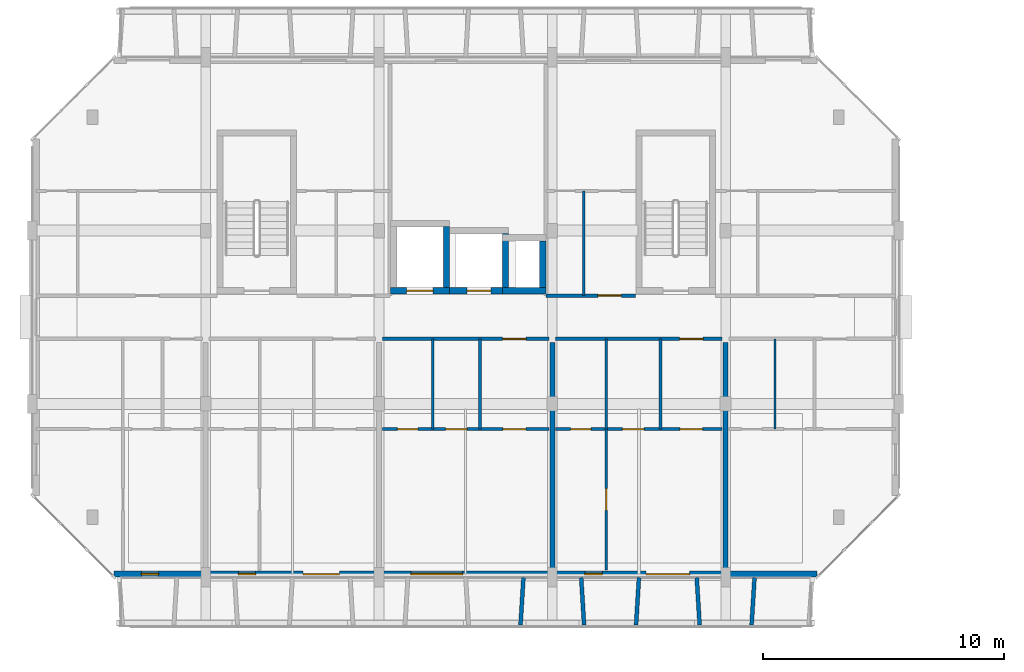
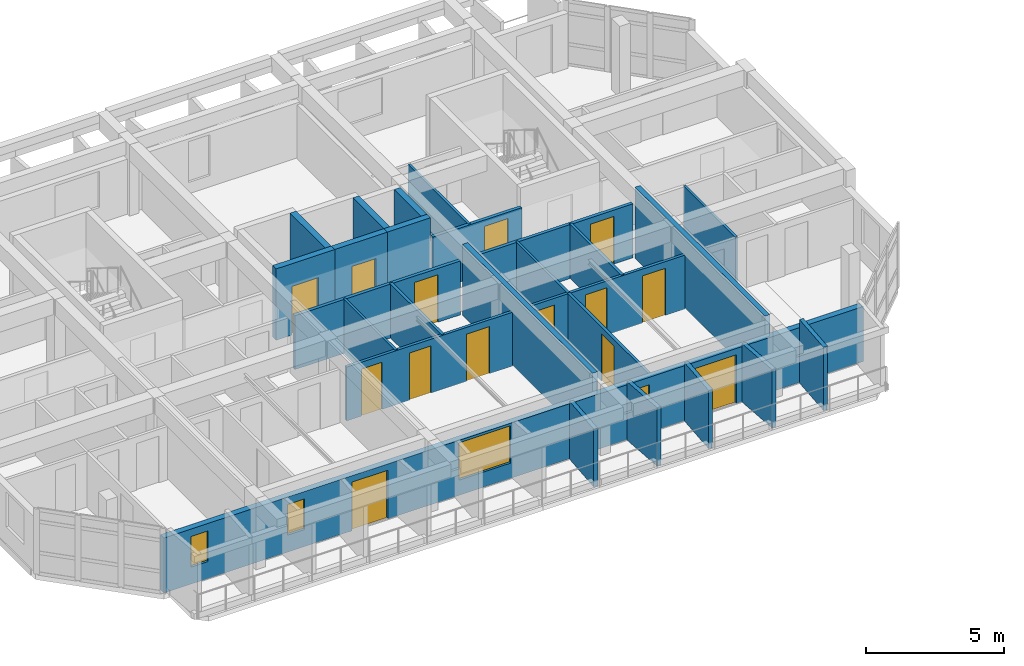
# One storey, part 18 of 46: 26 walls, 14 doors, 4 windows, 18 openings.
"""IFC4 building model written with IfcOpenShell, lengths in metres."""

from ifc_helpers import new_model, si_unit, direction, frame, frame_2d, origin, place, context, subcontext, project, spatial, rectangle, extrude, material, layer, layer_set, type_object, element, fill, save


model = new_model("IFC4")

# Units and contexts
model_context = context("Model", 3, precision=1e-05, world=origin(), true_north=direction((0.0, 1.0)))
body_context = subcontext(model_context, "Body", "Model", "MODEL_VIEW")
ifc_project = project(units=[si_unit("LENGTHUNIT", "METRE"), si_unit("AREAUNIT", "SQUARE_METRE"), si_unit("VOLUMEUNIT", "CUBIC_METRE"), si_unit("PLANEANGLEUNIT", "RADIAN"), si_unit("MASSUNIT", "GRAM", prefix="KILO")], contexts=[model_context])

# Site, building, storey
site_placement = place(None, origin())
site = spatial("IfcSite", under=ifc_project, at=site_placement, CompositionType="ELEMENT")
building_placement = place(site_placement, origin())
building = spatial("IfcBuilding", under=site, at=building_placement, Name="Ochrevale Crest", CompositionType="ELEMENT")
storey_placement = place(building_placement, frame((0.0, 0.0, 24.449951171875)))
storey = spatial("IfcBuildingStorey", under=building, at=storey_placement, Name="L07", CompositionType="ELEMENT", Elevation=24.449951171875)

# Wall, opening, door
ifc_material_1 = material(Name="Gypsum plasterboard", Category="gypsum")
ifc_layer_1 = layer(ifc_material_1, 0.139892578125)
ifc_layer_set_1 = layer_set([ifc_layer_1], Name="Gypsum plasterboard")
wall_type_1 = type_object("IfcWallType", Name="WL-COR-140", PredefinedType="PARTITIONING", material=ifc_layer_set_1)
wall_1_placement = place(storey_placement, frame((14.5400390625, 24.300048828125, 0.0), z_axis=(0.0, 0.0, 1.0), x_axis=(1.0, 0.0, 0.0)))
wall_1 = element("IfcWall", 1, at=wall_1_placement, inside=storey, type_object=wall_type_1, Name="Apartment A-L07-U3 corridor wall", PredefinedType="PARTITIONING", context=body_context, shape_type="SweptSolid", body=[
    extrude(rectangle(XDim=6.919921875, YDim=0.139892578125, at=frame_2d((3.4599609375, 0.0))), origin(), (0.0, 0.0, 1.0), 2.380126953125),
])
opening_1_placement = place(wall_1_placement, frame((4.9951171875, 0.0, 0.0)))
opening_1 = element("IfcOpeningElement", 2, at=opening_1_placement, cuts=wall_1, Name="Opening FD01", PredefinedType="OPENING", context=body_context, shape_type="SweptSolid", body=[
    extrude(rectangle(XDim=0.97998046875, YDim=2.10009765625, at=frame_2d((0.489990234375, 1.050048828125))), frame((0.0, 0.080078125, 0.0), z_axis=(0.0, -1.0, 0.0), x_axis=(1.0, 0.0, 0.0)), (0.0, 0.0, 1.0), 0.159912109375),
])
ifc_material_2 = material(Name="Solid-core FSC hardwood", Category="wood")
door_type_1 = type_object("IfcDoorType", Name="DR-APT-950", OperationType="NOTDEFINED", PredefinedType="DOOR", material=ifc_material_2)
door_1_placement = place(opening_1_placement, origin())
door_1 = element("IfcDoor", 3, at=door_1_placement, inside=storey, type_object=door_type_1, Name="Apartment A-L07-U3 entrance door", OperationType="SINGLE_SWING_LEFT", OverallHeight=2.10009765625, OverallWidth=0.97998046875, PredefinedType="DOOR", context=body_context, shape_type="SweptSolid", body=[
    extrude(rectangle(XDim=0.97998046875, YDim=2.10009765625, at=frame_2d((0.489990234375, 1.050048828125))), frame((0.0, 0.02490234375, 0.0), z_axis=(0.0, -1.0, 0.0), x_axis=(1.0, 0.0, 0.0)), (0.0, 0.0, 1.0), 0.050048828125),
])
fill(opening_1, door_1)

wall_2_placement = place(storey_placement, frame((21.739990234375, 24.300048828125, 0.0), z_axis=(0.0, 0.0, 1.0), x_axis=(1.0, 0.0, 0.0)))
wall_2 = element("IfcWall", 4, at=wall_2_placement, inside=storey, type_object=wall_type_1, Name="Apartment A-L07-U4 corridor wall", PredefinedType="PARTITIONING", context=body_context, shape_type="SweptSolid", body=[
    extrude(rectangle(XDim=6.919921875, YDim=0.139892578125, at=frame_2d((3.4599609375, 0.0))), origin(), (0.0, 0.0, 1.0), 2.380126953125),
])
opening_2_placement = place(wall_2_placement, frame((5.14501953125, 0.0, 0.0)))
opening_2 = element("IfcOpeningElement", 5, at=opening_2_placement, cuts=wall_2, Name="Opening FD01", PredefinedType="OPENING", context=body_context, shape_type="SweptSolid", body=[
    extrude(rectangle(XDim=0.97998046875, YDim=2.10009765625, at=frame_2d((0.489990234375, 1.050048828125))), frame((0.0, 0.080078125, 0.0), z_axis=(0.0, -1.0, 0.0), x_axis=(1.0, 0.0, 0.0)), (0.0, 0.0, 1.0), 0.159912109375),
])
door_2_placement = place(opening_2_placement, origin())
door_2 = element("IfcDoor", 6, at=door_2_placement, inside=storey, type_object=door_type_1, Name="Apartment A-L07-U4 entrance door", OperationType="SINGLE_SWING_LEFT", OverallHeight=2.10009765625, OverallWidth=0.97998046875, PredefinedType="DOOR", context=body_context, shape_type="SweptSolid", body=[
    extrude(rectangle(XDim=0.97998046875, YDim=2.10009765625, at=frame_2d((0.489990234375, 1.050048828125))), frame((0.0, 0.02490234375, 0.0), z_axis=(0.0, -1.0, 0.0), x_axis=(1.0, 0.0, 0.0)), (0.0, 0.0, 1.0), 0.050048828125),
])
fill(opening_2, door_2)

wall_3_placement = place(storey_placement, frame((21.340087890625, 26.10009765625, 0.0), z_axis=(0.0, 0.0, 1.0), x_axis=(1.0, 0.0, 0.0)))
wall_3 = element("IfcWall", 7, at=wall_3_placement, inside=storey, type_object=wall_type_1, Name="Suite A-L07-ME corridor wall", PredefinedType="PARTITIONING", context=body_context, shape_type="SweptSolid", body=[
    extrude(rectangle(XDim=3.719970703125, YDim=0.139892578125, at=frame_2d((1.85986328125, 0.0))), origin(), (0.0, 0.0, 1.0), 2.380126953125),
])
opening_3_placement = place(wall_3_placement, frame((3.131103515625, 0.0, 0.0), z_axis=(0.0, 0.0, 1.0), x_axis=(-1.0, 0.0, 0.0)))
opening_3 = element("IfcOpeningElement", 8, at=opening_3_placement, cuts=wall_3, Name="Opening FD01", PredefinedType="OPENING", context=body_context, shape_type="SweptSolid", body=[
    extrude(rectangle(XDim=0.97998046875, YDim=2.10009765625, at=frame_2d((0.489990234375, 1.050048828125))), frame((0.0, 0.080078125, 0.0), z_axis=(0.0, -1.0, 0.0), x_axis=(1.0, 0.0, 0.0)), (0.0, 0.0, 1.0), 0.159912109375),
])
door_3_placement = place(opening_3_placement, origin())
door_3 = element("IfcDoor", 9, at=door_3_placement, inside=storey, type_object=door_type_1, Name="Suite A-L07-ME entrance door", OperationType="SINGLE_SWING_RIGHT", OverallHeight=2.10009765625, OverallWidth=0.97998046875, PredefinedType="DOOR", context=body_context, shape_type="SweptSolid", body=[
    extrude(rectangle(XDim=0.97998046875, YDim=2.10009765625, at=frame_2d((0.489990234375, 1.050048828125))), frame((0.0, 0.02490234375, 0.0), z_axis=(0.0, -1.0, 0.0), x_axis=(1.0, 0.0, 0.0)), (0.0, 0.0, 1.0), 0.050048828125),
])
fill(opening_3, door_3)

ifc_material_3 = material(Name="Precast concrete C50/60", Category="concrete")
ifc_layer_2 = layer(ifc_material_3, 0.2548828125)
ifc_layer_set_2 = layer_set([ifc_layer_2], Name="Precast concrete C50/60")
wall_type_2 = type_object("IfcWallType", Name="WL-CORE-255", PredefinedType="SHEAR", material=ifc_layer_set_2)
wall_4_placement = place(storey_placement, frame((14.87255859375, 26.300048828125, 0.0), z_axis=(0.0, 0.0, 1.0), x_axis=(1.0, 0.0, 0.0)))
wall_4 = element("IfcWall", 10, at=wall_4_placement, inside=storey, type_object=wall_type_2, Name="Block A L07 Lift 1 precast shaft shear wall S", PredefinedType="SHEAR", context=body_context, shape_type="SweptSolid", body=[
    extrude(rectangle(XDim=2.454833984375, YDim=0.2548828125, at=frame_2d((1.2275390625, 0.0))), origin(), (0.0, 0.0, 1.0), 3.150146484375),
])
opening_4_placement = place(wall_4_placement, frame((0.677490234375, 0.0, 0.0)))
opening_4 = element("IfcOpeningElement", 11, at=opening_4_placement, cuts=wall_4, Name="Opening LD01", PredefinedType="OPENING", context=body_context, shape_type="SweptSolid", body=[
    extrude(rectangle(XDim=1.10009765625, YDim=2.14990234375, at=frame_2d((0.550048828125, 1.074951171875))), frame((0.0, 0.137451171875, 0.0), z_axis=(0.0, -1.0, 0.0), x_axis=(1.0, 0.0, 0.0)), (0.0, 0.0, 1.0), 0.27490234375),
])
door_type_2 = type_object("IfcDoorType", Name="DR-LIFT-1100", OperationType="NOTDEFINED", PredefinedType="DOOR", material=ifc_material_2)
door_4_placement = place(opening_4_placement, origin())
door_4 = element("IfcDoor", 12, at=door_4_placement, inside=storey, type_object=door_type_2, Name="Lift LF-A1 L07 sliding landing door", OperationType="SLIDING_TO_LEFT", OverallHeight=2.14990234375, OverallWidth=1.10009765625, PredefinedType="DOOR", context=body_context, shape_type="SweptSolid", body=[
    extrude(rectangle(XDim=1.10009765625, YDim=2.14990234375, at=frame_2d((0.550048828125, 1.074951171875))), frame((0.0, 0.02490234375, 0.0), z_axis=(0.0, -1.0, 0.0), x_axis=(1.0, 0.0, 0.0)), (0.0, 0.0, 1.0), 0.050048828125),
])
fill(opening_4, door_4)

# Wall
wall_5_placement = place(storey_placement, frame((17.199951171875, 26.427490234375, 0.0), z_axis=(0.0, 0.0, 1.0), x_axis=(0.0, 1.0, 0.0)))
element("IfcWall", 13, at=wall_5_placement, inside=storey, type_object=wall_type_2, Name="Block A L07 Lift 1 precast shaft shear wall E", PredefinedType="SHEAR", context=body_context, shape_type="SweptSolid", body=[
    extrude(rectangle(XDim=2.544921875, YDim=0.2548828125, at=frame_2d((1.2724609375, 0.0))), origin(), (0.0, 0.0, 1.0), 3.150146484375),
])

# Wall, opening, door
wall_6_placement = place(storey_placement, frame((17.322509765625, 26.300048828125, 0.0), z_axis=(0.0, 0.0, 1.0), x_axis=(1.0, 0.0, 0.0)))
wall_6 = element("IfcWall", 14, at=wall_6_placement, inside=storey, type_object=wall_type_2, Name="Block A L07 Lift 2 precast shaft shear wall S", PredefinedType="SHEAR", context=body_context, shape_type="SweptSolid", body=[
    extrude(rectangle(XDim=2.455078125, YDim=0.2548828125, at=frame_2d((1.2275390625, 0.0))), origin(), (0.0, 0.0, 1.0), 3.150146484375),
])
opening_5_placement = place(wall_6_placement, frame((0.7275390625, 0.0, 0.0)))
opening_5 = element("IfcOpeningElement", 15, at=opening_5_placement, cuts=wall_6, Name="Opening LD02", PredefinedType="OPENING", context=body_context, shape_type="SweptSolid", body=[
    extrude(rectangle(XDim=1.0, YDim=2.14990234375, at=frame_2d((0.5, 1.074951171875))), frame((0.0, 0.137451171875, 0.0), z_axis=(0.0, -1.0, 0.0), x_axis=(1.0, 0.0, 0.0)), (0.0, 0.0, 1.0), 0.27490234375),
])
door_type_3 = type_object("IfcDoorType", Name="DR-LIFT-1000", OperationType="NOTDEFINED", PredefinedType="DOOR", material=ifc_material_2)
door_5_placement = place(opening_5_placement, origin())
door_5 = element("IfcDoor", 16, at=door_5_placement, inside=storey, type_object=door_type_3, Name="Lift LP-A2 L07 sliding landing door", OperationType="SLIDING_TO_RIGHT", OverallHeight=2.14990234375, OverallWidth=1.0, PredefinedType="DOOR", context=body_context, shape_type="SweptSolid", body=[
    extrude(rectangle(XDim=1.0, YDim=2.14990234375, at=frame_2d((0.5, 1.074951171875))), frame((0.0, 0.02490234375, 0.0), z_axis=(0.0, -1.0, 0.0), x_axis=(1.0, 0.0, 0.0)), (0.0, 0.0, 1.0), 0.050048828125),
])
fill(opening_5, door_5)

# Walls
wall_7_placement = place(storey_placement, frame((19.64990234375, 26.427490234375, 0.0), z_axis=(0.0, 0.0, 1.0), x_axis=(0.0, 1.0, 0.0)))
element("IfcWall", 17, at=wall_7_placement, inside=storey, type_object=wall_type_2, Name="Block A L07 Lift 2 precast shaft shear wall E", PredefinedType="SHEAR", context=body_context, shape_type="SweptSolid", body=[
    extrude(rectangle(XDim=2.2451171875, YDim=0.2548828125, at=frame_2d((1.12255859375, 0.0))), origin(), (0.0, 0.0, 1.0), 3.150146484375),
])
wall_8_placement = place(storey_placement, frame((19.5224609375, 26.300048828125, 0.0), z_axis=(0.0, 0.0, 1.0), x_axis=(1.0, 0.0, 0.0)))
element("IfcWall", 18, at=wall_8_placement, inside=storey, type_object=wall_type_2, Name="Block A L07 services riser shaft core wall S", PredefinedType="SHEAR", context=body_context, shape_type="SweptSolid", body=[
    extrude(rectangle(XDim=1.804931640625, YDim=0.2548828125, at=frame_2d((0.90234375, 0.0))), origin(), (0.0, 0.0, 1.0), 3.150146484375),
])
wall_9_placement = place(storey_placement, frame((21.199951171875, 26.427490234375, 0.0), z_axis=(0.0, 0.0, 1.0), x_axis=(0.0, 1.0, 0.0)))
element("IfcWall", 19, at=wall_9_placement, inside=storey, type_object=wall_type_2, Name="Block A L07 services riser shaft core wall E", PredefinedType="SHEAR", context=body_context, shape_type="SweptSolid", body=[
    extrude(rectangle(XDim=1.945068359375, YDim=0.2548828125, at=frame_2d((0.97265625, 0.0))), origin(), (0.0, 0.0, 1.0), 3.150146484375),
])

# Wall, openings, doors, windows
ifc_material_4 = material(Name="Precast concrete C40/50", Category="concrete")
ifc_layer_3 = layer(ifc_material_4, 0.25)
ifc_layer_set_3 = layer_set([ifc_layer_3], Name="Precast concrete C40/50")
wall_type_3 = type_object("IfcWallType", Name="WL-EXT-GOLD-250", PredefinedType="SOLIDWALL", material=ifc_layer_set_3)
wall_10_placement = place(storey_placement, frame((3.39990234375, 14.52490234375, 0.0), z_axis=(0.0, 0.0, 1.0), x_axis=(1.0, 0.0, 0.0)))
wall_10 = element("IfcWall", 20, at=wall_10_placement, inside=storey, type_object=wall_type_3, Name="Block A L07 external facade wall E1", PredefinedType="SOLIDWALL", context=body_context, shape_type="SweptSolid", body=[
    extrude(rectangle(XDim=29.2001953125, YDim=0.25, at=frame_2d((14.60009765625, 0.0))), origin(), (0.0, 0.0, 1.0), 2.429931640625),
])
opening_6_placement = place(wall_10_placement, frame((9.35009765625, 0.0, 0.0), z_axis=(0.0, 0.0, 1.0), x_axis=(-1.0, 0.0, 0.0)))
opening_6 = element("IfcOpeningElement", 21, at=opening_6_placement, cuts=wall_10, Name="Opening BD01", PredefinedType="OPENING", context=body_context, shape_type="SweptSolid", body=[
    extrude(rectangle(XDim=1.5, YDim=2.14990234375, at=frame_2d((0.75, 1.074951171875))), frame((0.0, 0.135009765625, 0.0), z_axis=(0.0, -1.0, 0.0), x_axis=(1.0, 0.0, 0.0)), (0.0, 0.0, 1.0), 0.27001953125),
])
opening_7_placement = place(wall_10_placement, frame((23.900146484375, 0.0, 0.0), z_axis=(0.0, 0.0, 1.0), x_axis=(-1.0, 0.0, 0.0)))
opening_7 = element("IfcOpeningElement", 22, at=opening_7_placement, cuts=wall_10, Name="Opening BD03", PredefinedType="OPENING", context=body_context, shape_type="SweptSolid", body=[
    extrude(rectangle(XDim=1.800048828125, YDim=2.14990234375, at=frame_2d((0.89990234375, 1.074951171875))), frame((0.0, 0.135009765625, 0.0), z_axis=(0.0, -1.0, 0.0), x_axis=(1.0, 0.0, 0.0)), (0.0, 0.0, 1.0), 0.27001953125),
])
opening_8_placement = place(wall_10_placement, frame((1.125, 0.0, 0.75)))
opening_8 = element("IfcOpeningElement", 23, at=opening_8_placement, cuts=wall_10, Name="Opening W02", PredefinedType="OPENING", context=body_context, shape_type="SweptSolid", body=[
    extrude(rectangle(XDim=0.719970703125, YDim=1.35009765625, at=frame_2d((0.35986328125, 0.675048828125))), frame((0.0, 0.135009765625, 0.0), z_axis=(0.0, -1.0, 0.0), x_axis=(1.0, 0.0, 0.0)), (0.0, 0.0, 1.0), 0.27001953125),
])
opening_9_placement = place(wall_10_placement, frame((5.155029296875, 0.0, 0.75)))
opening_9 = element("IfcOpeningElement", 24, at=opening_9_placement, cuts=wall_10, Name="Opening W02", PredefinedType="OPENING", context=body_context, shape_type="SweptSolid", body=[
    extrude(rectangle(XDim=0.719970703125, YDim=1.35009765625, at=frame_2d((0.35986328125, 0.675048828125))), frame((0.0, 0.135009765625, 0.0), z_axis=(0.0, -1.0, 0.0), x_axis=(1.0, 0.0, 0.0)), (0.0, 0.0, 1.0), 0.27001953125),
])
opening_10_placement = place(wall_10_placement, frame((12.324951171875, 0.0, 0.669921875)))
opening_10 = element("IfcOpeningElement", 25, at=opening_10_placement, cuts=wall_10, Name="Opening W13", PredefinedType="OPENING", context=body_context, shape_type="SweptSolid", body=[
    extrude(rectangle(XDim=2.14990234375, YDim=1.64990234375, at=frame_2d((1.074951171875, 0.824951171875))), frame((0.0, 0.135009765625, 0.0), z_axis=(0.0, -1.0, 0.0), x_axis=(1.0, 0.0, 0.0)), (0.0, 0.0, 1.0), 0.27001953125),
])
opening_11_placement = place(wall_10_placement, frame((19.554931640625, 0.0, 0.75)))
opening_11 = element("IfcOpeningElement", 26, at=opening_11_placement, cuts=wall_10, Name="Opening W02", PredefinedType="OPENING", context=body_context, shape_type="SweptSolid", body=[
    extrude(rectangle(XDim=0.719970703125, YDim=1.35009765625, at=frame_2d((0.35986328125, 0.675048828125))), frame((0.0, 0.135009765625, 0.0), z_axis=(0.0, -1.0, 0.0), x_axis=(1.0, 0.0, 0.0)), (0.0, 0.0, 1.0), 0.27001953125),
])
ifc_material_5 = material(Name="Anodised aluminium 6063-T5 and toughened glass", Category="aluminium")
door_type_4 = type_object("IfcDoorType", Name="DR-BAL-1500", OperationType="NOTDEFINED", PredefinedType="DOOR", material=ifc_material_5)
door_6_placement = place(opening_6_placement, origin())
door_6 = element("IfcDoor", 27, at=door_6_placement, inside=storey, type_object=door_type_4, Name="Block A L07 balcony door S2", OperationType="SINGLE_SWING_LEFT", OverallHeight=2.14990234375, OverallWidth=1.5, PredefinedType="DOOR", context=body_context, shape_type="SweptSolid", body=[
    extrude(rectangle(XDim=1.5, YDim=2.14990234375, at=frame_2d((0.75, 1.074951171875))), frame((0.0, 0.02490234375, 0.0), z_axis=(0.0, -1.0, 0.0), x_axis=(1.0, 0.0, 0.0)), (0.0, 0.0, 1.0), 0.050048828125),
])
fill(opening_6, door_6)
door_type_5 = type_object("IfcDoorType", Name="DR-BAL-1800", OperationType="NOTDEFINED", PredefinedType="DOOR", material=ifc_material_5)
door_7_placement = place(opening_7_placement, origin())
door_7 = element("IfcDoor", 28, at=door_7_placement, inside=storey, type_object=door_type_5, Name="Block A L07 balcony door S4", OperationType="SINGLE_SWING_RIGHT", OverallHeight=2.14990234375, OverallWidth=1.800048828125, PredefinedType="DOOR", context=body_context, shape_type="SweptSolid", body=[
    extrude(rectangle(XDim=1.800048828125, YDim=2.14990234375, at=frame_2d((0.89990234375, 1.074951171875))), frame((0.0, 0.02490234375, 0.0), z_axis=(0.0, -1.0, 0.0), x_axis=(1.0, 0.0, 0.0)), (0.0, 0.0, 1.0), 0.050048828125),
])
fill(opening_7, door_7)
ifc_material_6 = material(Name="Anodised aluminium 6063-T5 and low-E double glazing", Category="aluminium")
window_type_1 = type_object("IfcWindowType", Name="WIN-W02", PartitioningType="SINGLE_PANEL", PredefinedType="WINDOW", material=ifc_material_6)
window_1_placement = place(opening_8_placement, origin())
window_1 = element("IfcWindow", 29, at=window_1_placement, inside=storey, type_object=window_type_1, Name="Block A L07 Apartment A-L07-U1 One Bedroom Living Room window", OverallHeight=1.35009765625, OverallWidth=0.719970703125, PartitioningType="SINGLE_PANEL", PredefinedType="WINDOW", context=body_context, shape_type="SweptSolid", body=[
    extrude(rectangle(XDim=0.719970703125, YDim=1.35009765625, at=frame_2d((0.35986328125, 0.675048828125))), frame((0.0, 0.030029296875, 0.0), z_axis=(0.0, -1.0, 0.0), x_axis=(1.0, 0.0, 0.0)), (0.0, 0.0, 1.0), 0.06005859375),
])
fill(opening_8, window_1)
window_2_placement = place(opening_9_placement, origin())
window_2 = element("IfcWindow", 30, at=window_2_placement, inside=storey, type_object=window_type_1, Name="Block A L07 Apartment A-L07-U2 Twin Bedroom window", OverallHeight=1.35009765625, OverallWidth=0.719970703125, PartitioningType="SINGLE_PANEL", PredefinedType="WINDOW", context=body_context, shape_type="SweptSolid", body=[
    extrude(rectangle(XDim=0.719970703125, YDim=1.35009765625, at=frame_2d((0.35986328125, 0.675048828125))), frame((0.0, 0.030029296875, 0.0), z_axis=(0.0, -1.0, 0.0), x_axis=(1.0, 0.0, 0.0)), (0.0, 0.0, 1.0), 0.06005859375),
])
fill(opening_9, window_2)
window_3_placement = place(opening_11_placement, origin())
window_3 = element("IfcWindow", 31, at=window_3_placement, inside=storey, type_object=window_type_1, Name="Block A L07 Apartment A-L07-U4 Master Bedroom window", OverallHeight=1.35009765625, OverallWidth=0.719970703125, PartitioningType="SINGLE_PANEL", PredefinedType="WINDOW", context=body_context, shape_type="SweptSolid", body=[
    extrude(rectangle(XDim=0.719970703125, YDim=1.35009765625, at=frame_2d((0.35986328125, 0.675048828125))), frame((0.0, 0.030029296875, 0.0), z_axis=(0.0, -1.0, 0.0), x_axis=(1.0, 0.0, 0.0)), (0.0, 0.0, 1.0), 0.06005859375),
])
fill(opening_11, window_3)
window_type_2 = type_object("IfcWindowType", Name="WIN-W13", PartitioningType="SINGLE_PANEL", PredefinedType="WINDOW", material=ifc_material_6)
window_4_placement = place(opening_10_placement, origin())
window_4 = element("IfcWindow", 32, at=window_4_placement, inside=storey, type_object=window_type_2, Name="Block A L07 Studio A-L07-U3 Living Room window", OverallHeight=1.64990234375, OverallWidth=2.14990234375, PartitioningType="SINGLE_PANEL", PredefinedType="WINDOW", context=body_context, shape_type="SweptSolid", body=[
    extrude(rectangle(XDim=2.14990234375, YDim=1.64990234375, at=frame_2d((1.074951171875, 0.824951171875))), frame((0.0, 0.030029296875, 0.0), z_axis=(0.0, -1.0, 0.0), x_axis=(1.0, 0.0, 0.0)), (0.0, 0.0, 1.0), 0.06005859375),
])
fill(opening_10, window_4)

# Walls
ifc_layer_4 = layer(ifc_material_4, 0.1650390625)
ifc_layer_set_4 = layer_set([ifc_layer_4], Name="Precast concrete C40/50")
wall_type_4 = type_object("IfcWallType", Name="WL-HC-CHEEK-165", PredefinedType="ELEMENTEDWALL", material=ifc_layer_set_4)
wall_11_placement = place(storey_placement, frame((20.39990234375, 14.3798828125, 0.0), z_axis=(0.0, 0.0, 1.0), x_axis=(-0.061046865508, -0.998134900808, 0.0)))
element("IfcWall", 33, at=wall_11_placement, inside=storey, type_object=wall_type_4, Name="Block A L07 S precast honeycomb cheek 8", PredefinedType="ELEMENTEDWALL", context=body_context, shape_type="SweptSolid", body=[
    extrude(rectangle(XDim=1.963623046875, YDim=0.1650390625, at=frame_2d((0.98193359375, 0.0))), origin(), (0.0, 0.0, 1.0), 2.550048828125),
])
for number, where, z_axis, x_axis, name in (
    (34, (22.800048828125, 14.3798828125, 0.0), (0.0, 0.0, 1.0), (0.061046865508, -0.998134900808, 0.0), "Block A L07 S precast honeycomb cheek 9"),
    (35, (25.199951171875, 14.3798828125, 0.0), (0.0, 0.0, 1.0), (-0.061046865508, -0.998134900808, 0.0), "Block A L07 S precast honeycomb cheek 10"),
    (36, (27.60009765625, 14.3798828125, 0.0), (0.0, 0.0, 1.0), (0.061046865508, -0.998134900808, 0.0), "Block A L07 S precast honeycomb cheek 11"),
):
    element("IfcWall", number, at=place(storey_placement, frame(where, z_axis=z_axis, x_axis=x_axis)), inside=storey, type_object=wall_type_4, Name=name, PredefinedType="ELEMENTEDWALL", context=body_context, shape_type="SweptSolid", body=[
        extrude(rectangle(XDim=1.963623046875, YDim=0.1650390625, at=frame_2d((0.98193359375, 0.0))), origin(), (0.0, 0.0, 1.0), 2.580078125),
    ])
wall_12_placement = place(storey_placement, frame((30.0, 14.3798828125, 0.0), z_axis=(0.0, 0.0, 1.0), x_axis=(-0.061170732449, -0.998127317276, 0.0)))
element("IfcWall", 37, at=wall_12_placement, inside=storey, type_object=wall_type_4, Name="Block A L07 S precast honeycomb cheek 12", PredefinedType="ELEMENTEDWALL", context=body_context, shape_type="SweptSolid", body=[
    extrude(rectangle(XDim=1.963623046875, YDim=0.1650390625, at=frame_2d((0.98193359375, 0.0))), origin(), (0.0, 0.0, 1.0), 2.800048828125),
])
ifc_layer_5 = layer(ifc_material_1, 0.1201171875)
ifc_layer_set_5 = layer_set([ifc_layer_5], Name="Gypsum plasterboard")
wall_type_5 = type_object("IfcWallType", Name="WL-PART-120", PredefinedType="PARTITIONING", material=ifc_layer_set_5)
wall_13_placement = place(storey_placement, frame((18.590087890625, 20.550048828125, 0.0), z_axis=(0.0, 0.0, 1.0), x_axis=(0.0, 1.0, 0.0)))
element("IfcWall", 38, at=wall_13_placement, inside=storey, type_object=wall_type_5, Name="Apartment A-L07-U3 kitchen-foyer wall", PredefinedType="PARTITIONING", context=body_context, shape_type="SweptSolid", body=[
    extrude(rectangle(XDim=3.75, YDim=0.1201171875, at=frame_2d((1.875, 0.0))), origin(), (0.0, 0.0, 1.0), 2.380126953125),
])

# Wall, openings, doors
wall_14_placement = place(storey_placement, frame((14.5400390625, 20.550048828125, 0.0), z_axis=(0.0, 0.0, 1.0), x_axis=(1.0, 0.0, 0.0)))
wall_14 = element("IfcWall", 39, at=wall_14_placement, inside=storey, type_object=wall_type_5, Name="Apartment A-L07-U3 central partition", PredefinedType="PARTITIONING", context=body_context, shape_type="SweptSolid", body=[
    extrude(rectangle(XDim=6.919921875, YDim=0.1201171875, at=frame_2d((3.4599609375, 0.0))), origin(), (0.0, 0.0, 1.0), 2.380126953125),
])
opening_12_placement = place(wall_14_placement, frame((1.47509765625, 0.0, 0.0), z_axis=(0.0, 0.0, 1.0), x_axis=(-1.0, 0.0, 0.0)))
opening_12 = element("IfcOpeningElement", 40, at=opening_12_placement, cuts=wall_14, Name="Opening ID01", PredefinedType="OPENING", context=body_context, shape_type="SweptSolid", body=[
    extrude(rectangle(XDim=0.85009765625, YDim=2.080078125, at=frame_2d((0.425048828125, 1.0400390625))), frame((0.0, 0.070068359375, 0.0), z_axis=(0.0, -1.0, 0.0), x_axis=(1.0, 0.0, 0.0)), (0.0, 0.0, 1.0), 0.14013671875),
])
opening_13_placement = place(wall_14_placement, frame((2.625, 0.0, 0.0)))
opening_13 = element("IfcOpeningElement", 41, at=opening_13_placement, cuts=wall_14, Name="Opening ID02", PredefinedType="OPENING", context=body_context, shape_type="SweptSolid", body=[
    extrude(rectangle(XDim=0.89990234375, YDim=2.080078125, at=frame_2d((0.449951171875, 1.0400390625))), frame((0.0, 0.070068359375, 0.0), z_axis=(0.0, -1.0, 0.0), x_axis=(1.0, 0.0, 0.0)), (0.0, 0.0, 1.0), 0.14013671875),
])
opening_14_placement = place(wall_14_placement, frame((5.9599609375, 0.0, 0.0), z_axis=(0.0, 0.0, 1.0), x_axis=(-1.0, 0.0, 0.0)))
opening_14 = element("IfcOpeningElement", 42, at=opening_14_placement, cuts=wall_14, Name="Opening ID06", PredefinedType="OPENING", context=body_context, shape_type="SweptSolid", body=[
    extrude(rectangle(XDim=0.949951171875, YDim=2.080078125, at=frame_2d((0.47509765625, 1.0400390625))), frame((0.0, 0.070068359375, 0.0), z_axis=(0.0, -1.0, 0.0), x_axis=(1.0, 0.0, 0.0)), (0.0, 0.0, 1.0), 0.14013671875),
])
door_type_6 = type_object("IfcDoorType", Name="DR-INT-900", OperationType="NOTDEFINED", PredefinedType="DOOR", material=ifc_material_2)
door_8_placement = place(opening_13_placement, origin())
door_8 = element("IfcDoor", 43, at=door_8_placement, inside=storey, type_object=door_type_6, Name="Apartment A-L07-U3 Kitchen door", OperationType="SINGLE_SWING_LEFT", OverallHeight=2.080078125, OverallWidth=0.89990234375, PredefinedType="DOOR", context=body_context, shape_type="SweptSolid", body=[
    extrude(rectangle(XDim=0.89990234375, YDim=2.080078125, at=frame_2d((0.449951171875, 1.0400390625))), frame((0.0, 0.02490234375, 0.0), z_axis=(0.0, -1.0, 0.0), x_axis=(1.0, 0.0, 0.0)), (0.0, 0.0, 1.0), 0.050048828125),
])
fill(opening_13, door_8)
door_type_7 = type_object("IfcDoorType", Name="DR-INT-950", OperationType="NOTDEFINED", PredefinedType="DOOR", material=ifc_material_2)
door_9_placement = place(opening_14_placement, origin())
door_9 = element("IfcDoor", 44, at=door_9_placement, inside=storey, type_object=door_type_7, Name="Apartment A-L07-U3 Living Foyer door", OperationType="SINGLE_SWING_RIGHT", OverallHeight=2.080078125, OverallWidth=0.949951171875, PredefinedType="DOOR", context=body_context, shape_type="SweptSolid", body=[
    extrude(rectangle(XDim=0.949951171875, YDim=2.080078125, at=frame_2d((0.47509765625, 1.0400390625))), frame((0.0, 0.02490234375, 0.0), z_axis=(0.0, -1.0, 0.0), x_axis=(1.0, 0.0, 0.0)), (0.0, 0.0, 1.0), 0.050048828125),
])
fill(opening_14, door_9)
door_type_8 = type_object("IfcDoorType", Name="DR-WC-850", OperationType="NOTDEFINED", PredefinedType="DOOR", material=ifc_material_2)
door_10_placement = place(opening_12_placement, origin())
door_10 = element("IfcDoor", 45, at=door_10_placement, inside=storey, type_object=door_type_8, Name="Apartment A-L07-U3 Bathroom door", OperationType="SINGLE_SWING_RIGHT", OverallHeight=2.080078125, OverallWidth=0.85009765625, PredefinedType="DOOR", context=body_context, shape_type="SweptSolid", body=[
    extrude(rectangle(XDim=0.85009765625, YDim=2.080078125, at=frame_2d((0.425048828125, 1.0400390625))), frame((0.0, 0.02490234375, 0.0), z_axis=(0.0, -1.0, 0.0), x_axis=(1.0, 0.0, 0.0)), (0.0, 0.0, 1.0), 0.050048828125),
])
fill(opening_12, door_10)

# Wall
wall_15_placement = place(storey_placement, frame((26.090087890625, 20.550048828125, 0.0), z_axis=(0.0, 0.0, 1.0), x_axis=(0.0, 1.0, 0.0)))
element("IfcWall", 46, at=wall_15_placement, inside=storey, type_object=wall_type_5, Name="Apartment A-L07-U4 kitchen-foyer wall", PredefinedType="PARTITIONING", context=body_context, shape_type="SweptSolid", body=[
    extrude(rectangle(XDim=3.75, YDim=0.1201171875, at=frame_2d((1.875, 0.0))), origin(), (0.0, 0.0, 1.0), 2.380126953125),
])

# Wall, openings, doors
wall_16_placement = place(storey_placement, frame((21.739990234375, 20.550048828125, 0.0), z_axis=(0.0, 0.0, 1.0), x_axis=(1.0, 0.0, 0.0)))
wall_16 = element("IfcWall", 47, at=wall_16_placement, inside=storey, type_object=wall_type_5, Name="Apartment A-L07-U4 central partition", PredefinedType="PARTITIONING", context=body_context, shape_type="SweptSolid", body=[
    extrude(rectangle(XDim=6.919921875, YDim=0.1201171875, at=frame_2d((3.4599609375, 0.0))), origin(), (0.0, 0.0, 1.0), 2.380126953125),
])
opening_15_placement = place(wall_16_placement, frame((1.47509765625, 0.0, 0.0), z_axis=(0.0, 0.0, 1.0), x_axis=(-1.0, 0.0, 0.0)))
opening_15 = element("IfcOpeningElement", 48, at=opening_15_placement, cuts=wall_16, Name="Opening ID01", PredefinedType="OPENING", context=body_context, shape_type="SweptSolid", body=[
    extrude(rectangle(XDim=0.85009765625, YDim=2.080078125, at=frame_2d((0.425048828125, 1.0400390625))), frame((0.0, 0.070068359375, 0.0), z_axis=(0.0, -1.0, 0.0), x_axis=(1.0, 0.0, 0.0)), (0.0, 0.0, 1.0), 0.14013671875),
])
opening_16_placement = place(wall_16_placement, frame((2.77490234375, 0.0, 0.0)))
opening_16 = element("IfcOpeningElement", 49, at=opening_16_placement, cuts=wall_16, Name="Opening ID02", PredefinedType="OPENING", context=body_context, shape_type="SweptSolid", body=[
    extrude(rectangle(XDim=0.89990234375, YDim=2.080078125, at=frame_2d((0.449951171875, 1.0400390625))), frame((0.0, 0.070068359375, 0.0), z_axis=(0.0, -1.0, 0.0), x_axis=(1.0, 0.0, 0.0)), (0.0, 0.0, 1.0), 0.14013671875),
])
opening_17_placement = place(wall_16_placement, frame((6.10986328125, 0.0, 0.0), z_axis=(0.0, 0.0, 1.0), x_axis=(-1.0, 0.0, 0.0)))
opening_17 = element("IfcOpeningElement", 50, at=opening_17_placement, cuts=wall_16, Name="Opening ID06", PredefinedType="OPENING", context=body_context, shape_type="SweptSolid", body=[
    extrude(rectangle(XDim=0.949951171875, YDim=2.080078125, at=frame_2d((0.47509765625, 1.0400390625))), frame((0.0, 0.070068359375, 0.0), z_axis=(0.0, -1.0, 0.0), x_axis=(1.0, 0.0, 0.0)), (0.0, 0.0, 1.0), 0.14013671875),
])
door_11_placement = place(opening_16_placement, origin())
door_11 = element("IfcDoor", 51, at=door_11_placement, inside=storey, type_object=door_type_6, Name="Apartment A-L07-U4 Kitchen door", OperationType="SINGLE_SWING_LEFT", OverallHeight=2.080078125, OverallWidth=0.89990234375, PredefinedType="DOOR", context=body_context, shape_type="SweptSolid", body=[
    extrude(rectangle(XDim=0.89990234375, YDim=2.080078125, at=frame_2d((0.449951171875, 1.0400390625))), frame((0.0, 0.02490234375, 0.0), z_axis=(0.0, -1.0, 0.0), x_axis=(1.0, 0.0, 0.0)), (0.0, 0.0, 1.0), 0.050048828125),
])
fill(opening_16, door_11)
door_12_placement = place(opening_17_placement, origin())
door_12 = element("IfcDoor", 52, at=door_12_placement, inside=storey, type_object=door_type_7, Name="Apartment A-L07-U4 Living Foyer door", OperationType="SINGLE_SWING_RIGHT", OverallHeight=2.080078125, OverallWidth=0.949951171875, PredefinedType="DOOR", context=body_context, shape_type="SweptSolid", body=[
    extrude(rectangle(XDim=0.949951171875, YDim=2.080078125, at=frame_2d((0.47509765625, 1.0400390625))), frame((0.0, 0.02490234375, 0.0), z_axis=(0.0, -1.0, 0.0), x_axis=(1.0, 0.0, 0.0)), (0.0, 0.0, 1.0), 0.050048828125),
])
fill(opening_17, door_12)
door_13_placement = place(opening_15_placement, origin())
door_13 = element("IfcDoor", 53, at=door_13_placement, inside=storey, type_object=door_type_8, Name="Apartment A-L07-U4 Bathroom door", OperationType="SINGLE_SWING_RIGHT", OverallHeight=2.080078125, OverallWidth=0.85009765625, PredefinedType="DOOR", context=body_context, shape_type="SweptSolid", body=[
    extrude(rectangle(XDim=0.85009765625, YDim=2.080078125, at=frame_2d((0.425048828125, 1.0400390625))), frame((0.0, 0.02490234375, 0.0), z_axis=(0.0, -1.0, 0.0), x_axis=(1.0, 0.0, 0.0)), (0.0, 0.0, 1.0), 0.050048828125),
])
fill(opening_15, door_13)

# Wall, opening, door
wall_17_placement = place(storey_placement, frame((23.840087890625, 14.699951171875, 0.0), z_axis=(0.0, 0.0, 1.0), x_axis=(0.0, 1.0, 0.0)))
wall_17 = element("IfcWall", 54, at=wall_17_placement, inside=storey, type_object=wall_type_5, Name="Apartment A-L07-U4 bedroom partition", PredefinedType="PARTITIONING", context=body_context, shape_type="SweptSolid", body=[
    extrude(rectangle(XDim=5.85009765625, YDim=0.1201171875, at=frame_2d((2.925048828125, 0.0))), origin(), (0.0, 0.0, 1.0), 2.380126953125),
])
opening_18_placement = place(wall_17_placement, frame((2.47509765625, 0.0, 0.0)))
opening_18 = element("IfcOpeningElement", 55, at=opening_18_placement, cuts=wall_17, Name="Opening ID02", PredefinedType="OPENING", context=body_context, shape_type="SweptSolid", body=[
    extrude(rectangle(XDim=0.89990234375, YDim=2.080078125, at=frame_2d((0.449951171875, 1.0400390625))), frame((0.0, 0.070068359375, 0.0), z_axis=(0.0, -1.0, 0.0), x_axis=(1.0, 0.0, 0.0)), (0.0, 0.0, 1.0), 0.14013671875),
])
door_14_placement = place(opening_18_placement, origin())
door_14 = element("IfcDoor", 56, at=door_14_placement, inside=storey, type_object=door_type_6, Name="Apartment A-L07-U4 Master Bedroom door", OperationType="SINGLE_SWING_LEFT", OverallHeight=2.080078125, OverallWidth=0.89990234375, PredefinedType="DOOR", context=body_context, shape_type="SweptSolid", body=[
    extrude(rectangle(XDim=0.89990234375, YDim=2.080078125, at=frame_2d((0.449951171875, 1.0400390625))), frame((0.0, 0.02490234375, 0.0), z_axis=(0.0, -1.0, 0.0), x_axis=(1.0, 0.0, 0.0)), (0.0, 0.0, 1.0), 0.050048828125),
])
fill(opening_18, door_14)

# Walls
ifc_layer_6 = layer(ifc_material_4, 0.2099609375)
ifc_layer_set_6 = layer_set([ifc_layer_6], Name="Precast concrete C40/50")
wall_type_6 = type_object("IfcWallType", Name="WL-SHEAR-210", PredefinedType="SHEAR", material=ifc_layer_set_6)
for number, where, z_axis, x_axis, name in (
    (57, (21.60009765625, 14.75, 0.0), (0.0, 0.0, 1.0), (0.0, 1.0, 0.0), "Block A L07 load-bearing precast cross-wall X=21.6"),
    (58, (28.800048828125, 14.75, 0.0), (0.0, 0.0, 1.0), (0.0, 1.0, 0.0), "Block A L07 load-bearing precast cross-wall X=28.8"),
):
    element("IfcWall", number, at=place(storey_placement, frame(where, z_axis=z_axis, x_axis=x_axis)), inside=storey, type_object=wall_type_6, Name=name, PredefinedType="SHEAR", context=body_context, shape_type="SweptSolid", body=[
        extrude(rectangle(XDim=9.39990234375, YDim=0.2099609375, at=frame_2d((4.699951171875, 0.0))), origin(), (0.0, 0.0, 1.0), 3.150146484375),
    ])
ifc_layer_7 = layer(ifc_material_1, 0.10009765625)
ifc_layer_set_7 = layer_set([ifc_layer_7], Name="Gypsum plasterboard")
wall_type_7 = type_object("IfcWallType", Name="WL-WET-100", PredefinedType="PARTITIONING", material=ifc_layer_set_7)
for number, where, z_axis, x_axis, name in (
    (59, (16.639892578125, 20.550048828125, 0.0), (0.0, 0.0, 1.0), (0.0, 1.0, 0.0), "Apartment A-L07-U3 bath-kitchen wall"),
    (60, (23.840087890625, 20.550048828125, 0.0), (0.0, 0.0, 1.0), (0.0, 1.0, 0.0), "Apartment A-L07-U4 bath-kitchen wall"),
    (61, (30.85009765625, 20.550048828125, 0.0), (0.0, 0.0, 1.0), (0.0, 1.0, 0.0), "Apartment A-L07-U5 bath-kitchen wall"),
):
    element("IfcWall", number, at=place(storey_placement, frame(where, z_axis=z_axis, x_axis=x_axis)), inside=storey, type_object=wall_type_7, Name=name, PredefinedType="PARTITIONING", context=body_context, shape_type="SweptSolid", body=[
        extrude(rectangle(XDim=3.75, YDim=0.10009765625, at=frame_2d((1.875, 0.0))), origin(), (0.0, 0.0, 1.0), 2.380126953125),
    ])
wall_18_placement = place(storey_placement, frame((22.90234375, 26.10009765625, 0.0), z_axis=(0.0, 0.0, 1.0), x_axis=(0.0, 1.0, 0.0)))
element("IfcWall", 62, at=wall_18_placement, inside=storey, type_object=wall_type_7, Name="Suite A-L07-ME bathroom divider", PredefinedType="PARTITIONING", context=body_context, shape_type="SweptSolid", body=[
    extrude(rectangle(XDim=4.349853515625, YDim=0.10009765625, at=frame_2d((2.1748046875, 0.0))), origin(), (0.0, 0.0, 1.0), 2.380126953125),
])

save(model, "model.ifc")
